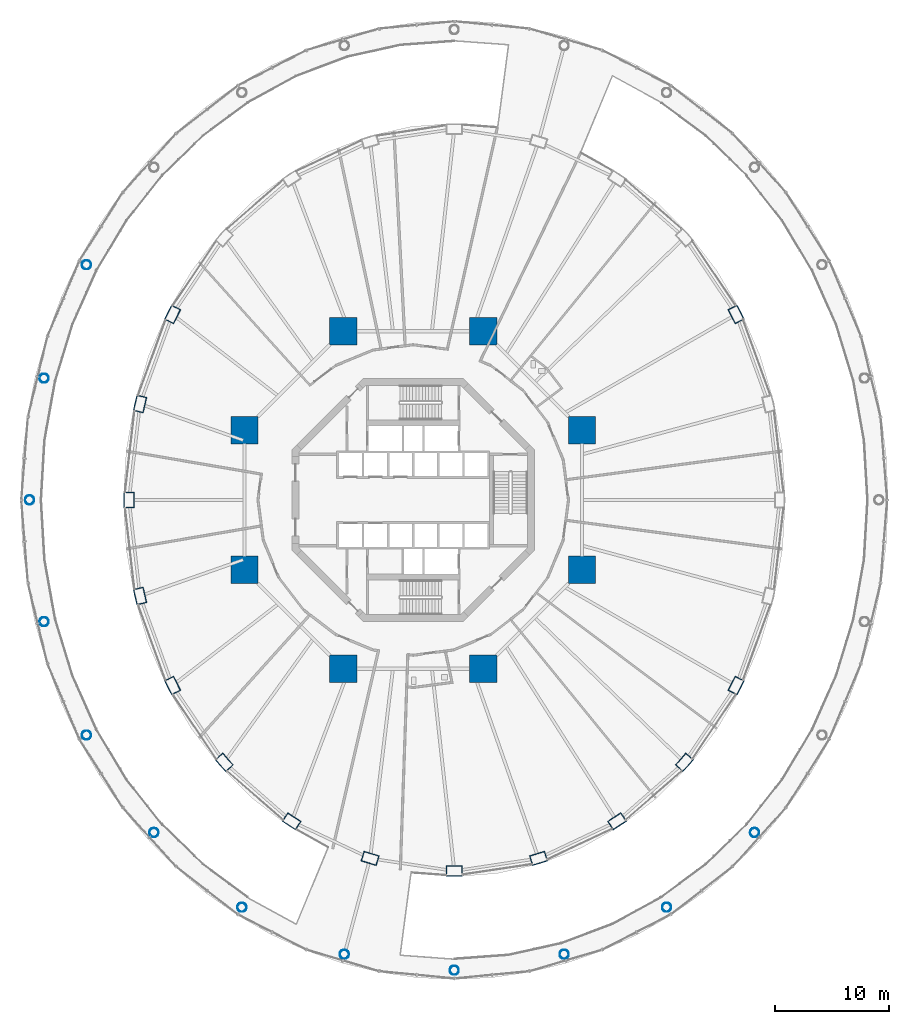
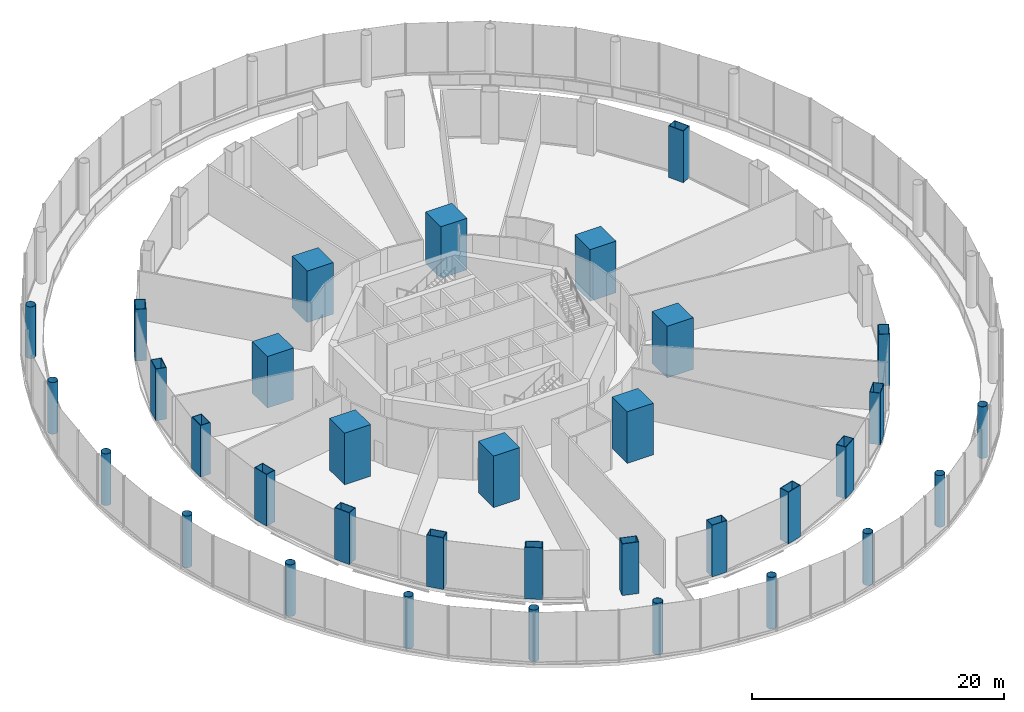
# One storey, part 1 of 47: 34 columns.
"""IFC4 building model written with IfcOpenShell, lengths in metres."""

from ifc_helpers import new_model, si_unit, direction, frame, origin, origin_2d, place, context, subcontext, project, spatial, rectangle, hollow_rectangle, hollow_circle, extrude, material, material_profile, profile_set, type_object, element, save


model = new_model("IFC4")

# Units and contexts
model_context = context("Model", 3, precision=1e-05, world=origin(), true_north=direction((0.0, 1.0)))
body_context = subcontext(model_context, "Body", "Model", "MODEL_VIEW")
ifc_project = project(units=[si_unit("LENGTHUNIT", "METRE"), si_unit("AREAUNIT", "SQUARE_METRE"), si_unit("VOLUMEUNIT", "CUBIC_METRE"), si_unit("PLANEANGLEUNIT", "RADIAN"), si_unit("MASSUNIT", "GRAM", prefix="KILO")], contexts=[model_context])

# Site, building, storey
site_placement = place(None, origin())
site = spatial("IfcSite", under=ifc_project, at=site_placement, CompositionType="ELEMENT")
building_placement = place(site_placement, origin())
building = spatial("IfcBuilding", under=site, at=building_placement, Name="Nagisa Residences", CompositionType="ELEMENT")
storey_placement = place(building_placement, frame((0.0, 0.0, 17.0)))
storey = spatial("IfcBuildingStorey", under=building, at=storey_placement, Name="L03", CompositionType="ELEMENT", Elevation=17.0)

# Columns
ifc_material_1 = material(Name="Steel ASTM A572 Gr 65", Category="steel")
ifc_material_profile_1 = material_profile(ifc_material_1, hollow_circle(Radius=0.406494140625, WallThickness=0.02490234375, at=origin_2d()), Name="CHS 813x25")
ifc_profile_set_1 = profile_set([ifc_material_profile_1], Name="Steel ASTM A572 Gr 65")
column_type_1 = type_object("IfcColumnType", Name="Atrium column CHS 813x25", PredefinedType="COLUMN", material=ifc_profile_set_1)
for number, where, z_axis, x_axis, name in (
    (1, (-28.6162109375, 20.60009765625, 0.0), (0.0, 0.0, 1.0), (1.0, 0.0, 0.0), "col:L03:a10"),
    (2, (-32.33251953125, 10.663330078125, 0.0), (0.0, 0.0, 1.0), (1.0, 0.0, 0.0), "col:L03:a11"),
    (3, (-33.60009765625, 0.0, 0.0), (0.0, 0.0, 1.0), (1.0, 0.0, 0.0), "col:L03:a12"),
    (4, (-32.33251953125, -10.663330078125, 0.0), (0.0, 0.0, 1.0), (1.0, 0.0, 0.0), "col:L03:a13"),
    (5, (-28.6162109375, -20.60009765625, 0.0), (0.0, 0.0, 1.0), (1.0, 0.0, 0.0), "col:L03:a14"),
    (6, (-22.704345703125, -29.1328125, 0.0), (0.0, 0.0, 1.0), (1.0, 0.0, 0.0), "col:L03:a15"),
    (7, (-15.0, -35.68017578125, 0.0), (0.0, 0.0, 1.0), (1.0, 0.0, 0.0), "col:L03:a16"),
    (8, (-6.028076171875, -39.796142578125, 0.0), (0.0, 0.0, 1.0), (1.0, 0.0, 0.0), "col:L03:a17"),
    (9, (3.60009765625, -41.199951171875, 0.0), (0.0, 0.0, 1.0), (1.0, 0.0, 0.0), "col:L03:a18"),
    (10, (13.22802734375, -39.796142578125, 0.0), (0.0, 0.0, 1.0), (1.0, 0.0, 0.0), "col:L03:a19"),
    (11, (22.199951171875, -35.68017578125, 0.0), (0.0, 0.0, 1.0), (1.0, 0.0, 0.0), "col:L03:a20"),
    (12, (29.904296875, -29.1328125, 0.0), (0.0, 0.0, 1.0), (1.0, 0.0, 0.0), "col:L03:a21"),
):
    element("IfcColumn", number, at=place(storey_placement, frame(where, z_axis=z_axis, x_axis=x_axis)), inside=storey, type_object=column_type_1, Name=name, PredefinedType="COLUMN", context=body_context, shape_type="SweptSolid", body=[
        extrude(hollow_circle(Radius=0.406494140625, WallThickness=0.02490234375, at=origin_2d()), origin(), (0.0, 0.0, 1.0), 5.0),
    ])
ifc_material_2 = material(Name="Concrete C80", Category="concrete")
ifc_material_profile_2 = material_profile(ifc_material_2, rectangle(XDim=2.39990234375, YDim=2.39990234375, at=origin_2d()), Name="C80 2400x2400")
ifc_profile_set_2 = profile_set([ifc_material_profile_2], Name="Concrete C80")
column_type_2 = type_object("IfcColumnType", Name="Inner megacolumn C80 2400x2400", PredefinedType="COLUMN", material=ifc_profile_set_2)
for number, where, z_axis, x_axis, name in (
    (13, (14.781982421875, 6.123046875, 0.0), (0.0, 0.0, 1.0), (1.0, 0.0, 0.0), "col:L03:i1"),
    (14, (6.123046875, 14.781982421875, 0.0), (0.0, 0.0, 1.0), (1.0, 0.0, 0.0), "col:L03:i2"),
    (15, (-6.123046875, 14.781982421875, 0.0), (0.0, 0.0, 1.0), (1.0, 0.0, 0.0), "col:L03:i3"),
    (16, (-14.781982421875, 6.123046875, 0.0), (0.0, 0.0, 1.0), (1.0, 0.0, 0.0), "col:L03:i4"),
    (17, (-14.781982421875, -6.123046875, 0.0), (0.0, 0.0, 1.0), (1.0, 0.0, 0.0), "col:L03:i5"),
    (18, (-6.123046875, -14.781982421875, 0.0), (0.0, 0.0, 1.0), (1.0, 0.0, 0.0), "col:L03:i6"),
    (19, (6.123046875, -14.781982421875, 0.0), (0.0, 0.0, 1.0), (1.0, 0.0, 0.0), "col:L03:i7"),
    (20, (14.781982421875, -6.123046875, 0.0), (0.0, 0.0, 1.0), (1.0, 0.0, 0.0), "col:L03:i8"),
):
    element("IfcColumn", number, at=place(storey_placement, frame(where, z_axis=z_axis, x_axis=x_axis)), inside=storey, type_object=column_type_2, Name=name, PredefinedType="COLUMN", context=body_context, shape_type="SweptSolid", body=[
        extrude(rectangle(XDim=2.39990234375, YDim=2.39990234375, at=origin_2d()), origin(), (0.0, 0.0, 1.0), 5.0),
    ])
ifc_material_3 = material(Name="Steel ASTM A572 Gr 50", Category="steel")
ifc_material_profile_3 = material_profile(ifc_material_3, hollow_rectangle(XDim=1.39990234375, YDim=0.89990234375, WallThickness=0.050048828125, at=origin_2d()), Name="BX 1400x900x50")
ifc_profile_set_3 = profile_set([ifc_material_profile_3], Name="Steel ASTM A572 Gr 50")
column_type_3 = type_object("IfcColumnType", Name="Perimeter column BX 1400x900x50", PredefinedType="COLUMN", material=ifc_profile_set_3)
for number, where, z_axis, x_axis, name in (
    (21, (28.28173828125, 16.25, 0.0), (0.0, 0.0, 1.0), (-0.452462697578, 0.891783329795, 0.0), "col:L03:p02"),
    (22, (-21.081787109375, 16.25, 0.0), (0.0, 0.0, 1.0), (-0.452462697578, -0.891783329795, 0.0), "col:L03:p10"),
    (23, (-23.928955078125, 8.41162109375, 0.0), (0.0, 0.0, 1.0), (-0.229202013103, -0.973378876486, 0.0), "col:L03:p11"),
    (24, (-24.89990234375, 0.0, 0.0), (0.0, 0.0, 1.0), (0.0, -1.0, 0.0), "col:L03:p12"),
    (25, (-23.928955078125, -8.41162109375, 0.0), (0.0, 0.0, 1.0), (0.229202013103, -0.973378876486, 0.0), "col:L03:p13"),
    (26, (-21.081787109375, -16.25, 0.0), (0.0, 0.0, 1.0), (0.452462697578, -0.891783329795, 0.0), "col:L03:p14"),
    (27, (-16.552490234375, -22.98095703125, 0.0), (0.0, 0.0, 1.0), (0.660114607735, -0.751164898445, 0.0), "col:L03:p15"),
    (28, (-10.64990234375, -28.145751953125, 0.0), (0.0, 0.0, 1.0), (0.835766105673, -0.54908561865, 0.0), "col:L03:p16"),
    (29, (-3.7763671875, -31.392578125, 0.0), (0.0, 0.0, 1.0), (0.956524583408, -0.291651712384, 0.0), "col:L03:p17"),
    (30, (3.60009765625, -32.5, 0.0), (0.0, 0.0, 1.0), (1.0, 0.0, 0.0), "col:L03:p18"),
    (31, (10.976318359375, -31.392578125, 0.0), (0.0, 0.0, 1.0), (0.956524583408, 0.291651712384, 0.0), "col:L03:p19"),
    (32, (17.85009765625, -28.145751953125, 0.0), (0.0, 0.0, 1.0), (0.835766105673, 0.54908561865, 0.0), "col:L03:p20"),
    (33, (23.75244140625, -22.98095703125, 0.0), (0.0, 0.0, 1.0), (0.660114607735, 0.751164898445, 0.0), "col:L03:p21"),
    (34, (28.28173828125, -16.25, 0.0), (0.0, 0.0, 1.0), (0.452462697578, 0.891783329795, 0.0), "col:L03:p22"),
):
    element("IfcColumn", number, at=place(storey_placement, frame(where, z_axis=z_axis, x_axis=x_axis)), inside=storey, type_object=column_type_3, Name=name, PredefinedType="COLUMN", context=body_context, shape_type="SweptSolid", body=[
        extrude(hollow_rectangle(XDim=1.39990234375, YDim=0.89990234375, WallThickness=0.050048828125, at=origin_2d()), origin(), (0.0, 0.0, 1.0), 5.0),
    ])

save(model, "model.ifc")
